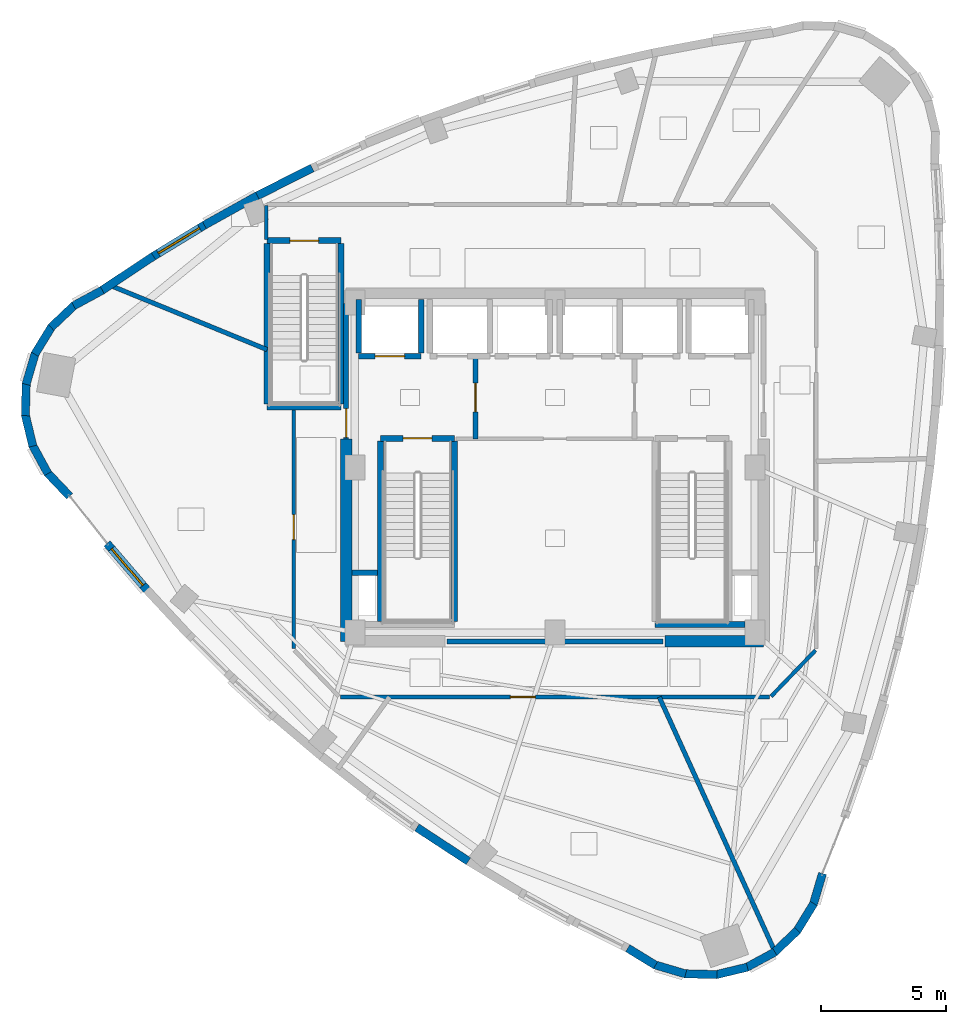
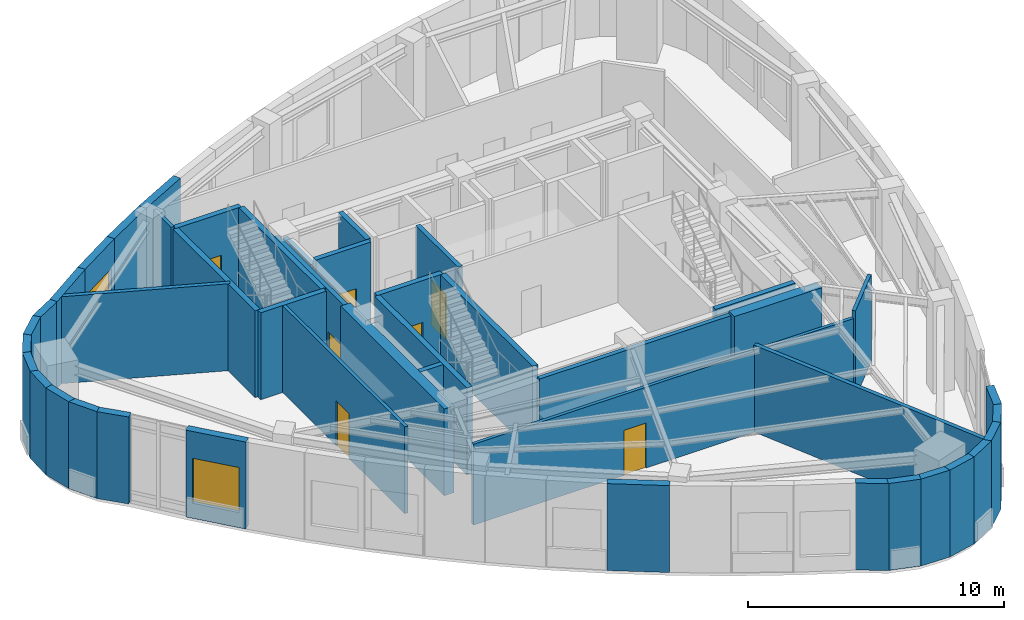
# One storey, part 8 of 13: 45 walls, 7 doors, 2 windows, 9 openings.
"""IFC4 building model written with IfcOpenShell, lengths in metres."""

from ifc_helpers import new_model, si_unit, direction, frame, frame_2d, origin, place, context, subcontext, project, spatial, rectangle, extrude, material, layer, layer_set, type_object, element, fill, save


model = new_model("IFC4")

# Units and contexts
model_context = context("Model", 3, precision=1e-05, world=origin(), true_north=direction((0.0, 1.0)))
body_context = subcontext(model_context, "Body", "Model", "MODEL_VIEW")
ifc_project = project(units=[si_unit("LENGTHUNIT", "METRE"), si_unit("AREAUNIT", "SQUARE_METRE"), si_unit("VOLUMEUNIT", "CUBIC_METRE"), si_unit("PLANEANGLEUNIT", "RADIAN"), si_unit("MASSUNIT", "GRAM", prefix="KILO")], contexts=[model_context])

# Site, building, storey
site_placement = place(None, origin())
site = spatial("IfcSite", under=ifc_project, at=site_placement, CompositionType="ELEMENT")
building_placement = place(site_placement, origin())
building = spatial("IfcBuilding", under=site, at=building_placement, Name="Ndelora Gate Hotel", CompositionType="ELEMENT")
storey_placement = place(building_placement, frame((0.0, 0.0, 272.800048828125)))
storey = spatial("IfcBuildingStorey", under=building, at=storey_placement, Name="L68", CompositionType="ELEMENT", Elevation=272.800048828125)

# Walls
ifc_material_1 = material(Name="Acoustic Double-Stud Gypsum Assembly", Category="gypsum")
ifc_layer_1 = layer(ifc_material_1, 0.179931640625)
ifc_layer_set_1 = layer_set([ifc_layer_1], Name="Acoustic Double-Stud Gypsum Assembly")
wall_type_1 = type_object("IfcWallType", Name="WL-ACOUST-180", PredefinedType="PARTITIONING", material=ifc_layer_set_1)
wall_1_placement = place(storey_placement, frame((-11.510009765625, 4.71240234375, 0.0), z_axis=(0.0, 0.0, 1.0), x_axis=(-0.925422915291, 0.378935915234, 0.0)))
element("IfcWall", 1, at=wall_1_placement, inside=storey, type_object=wall_type_1, Name="L68 Interior Wall IW-3", PredefinedType="PARTITIONING", context=body_context, shape_type="SweptSolid", body=[
    extrude(rectangle(XDim=6.80615234375, YDim=0.179931640625, at=frame_2d((3.403076171875, 0.0))), origin(), (0.0, 0.0, 1.0), 4.14990234375),
])
wall_2_placement = place(storey_placement, frame((4.1708984375, -9.179931640625, 0.0), z_axis=(0.0, 0.0, 1.0), x_axis=(0.413663216612, -0.910429977111, 0.0)))
element("IfcWall", 2, at=wall_2_placement, inside=storey, type_object=wall_type_1, Name="L68 Interior Wall IW-3", PredefinedType="PARTITIONING", context=body_context, shape_type="SweptSolid", body=[
    extrude(rectangle(XDim=11.18994140625, YDim=0.179931640625, at=frame_2d((5.594970703125, 0.0))), origin(), (0.0, 0.0, 1.0), 4.14990234375),
])
ifc_material_2 = material(Name="Clay Brick Masonry", Category="masonry")
ifc_layer_2 = layer(ifc_material_2, 0.330078125)
ifc_layer_set_2 = layer_set([ifc_layer_2], Name="Clay Brick Masonry")
wall_type_2 = type_object("IfcWallType", Name="WL-BRICK-330", PredefinedType="SOLIDWALL", material=ifc_layer_set_2)
wall_3_placement = place(storey_placement, frame((-19.25048828125, 6.469970703125, 0.0), z_axis=(0.0, 0.0, 1.0), x_axis=(0.878774855812, 0.477236579478, 0.0)))
element("IfcWall", 3, at=wall_3_placement, inside=storey, type_object=wall_type_2, Name="L68 Tower Brick Pier-and-Spandrel Wall TWR-1", PredefinedType="SOLIDWALL", context=body_context, shape_type="SweptSolid", body=[
    extrude(rectangle(XDim=1.302978515625, YDim=0.330078125, at=frame_2d((0.6513671875, 0.0))), origin(), (0.0, 0.0, 1.0), 4.14990234375),
])
wall_4_placement = place(storey_placement, frame((-20.155517578125, 5.602294921875, 0.0), z_axis=(0.0, 0.0, 1.0), x_axis=(0.725415712612, 0.688311008118, 0.0)))
element("IfcWall", 4, at=wall_4_placement, inside=storey, type_object=wall_type_2, Name="L68 Tower Brick Pier-and-Spandrel Wall TWR-2", PredefinedType="SOLIDWALL", context=body_context, shape_type="SweptSolid", body=[
    extrude(rectangle(XDim=1.302734375, YDim=0.330078125, at=frame_2d((0.6513671875, 0.0))), origin(), (0.0, 0.0, 1.0), 4.14990234375),
])
wall_5_placement = place(storey_placement, frame((-20.805419921875, 4.52978515625, 0.0), z_axis=(0.0, 0.0, 1.0), x_axis=(0.522601602676, 0.852577014047, 0.0)))
element("IfcWall", 5, at=wall_5_placement, inside=storey, type_object=wall_type_2, Name="L68 Tower Brick Pier-and-Spandrel Wall TWR-3", PredefinedType="SOLIDWALL", context=body_context, shape_type="SweptSolid", body=[
    extrude(rectangle(XDim=1.302978515625, YDim=0.330078125, at=frame_2d((0.6513671875, 0.0))), origin(), (0.0, 0.0, 1.0), 4.14990234375),
])
wall_6_placement = place(storey_placement, frame((-21.1552734375, 3.325439453125, 0.0), z_axis=(0.0, 0.0, 1.0), x_axis=(0.284011785169, 0.958820789243, 0.0)))
element("IfcWall", 6, at=wall_6_placement, inside=storey, type_object=wall_type_2, Name="L68 Tower Brick Pier-and-Spandrel Wall TWR-4", PredefinedType="SOLIDWALL", context=body_context, shape_type="SweptSolid", body=[
    extrude(rectangle(XDim=1.30322265625, YDim=0.330078125, at=frame_2d((0.651611328125, 0.0))), origin(), (0.0, 0.0, 1.0), 4.14990234375),
])
for number, where, z_axis, x_axis, name in (
    (7, (-21.181640625, 2.072021484375, 0.0), (0.0, 0.0, 1.0), (0.02623276863, 0.999655861709, 0.0), "L68 Tower Brick Pier-and-Spandrel Wall TWR-5"),
    (8, (-20.882568359375, 0.854248046875, 0.0), (0.0, 0.0, 1.0), (-0.233486347997, 0.972360080062, 0.0), "L68 Tower Brick Pier-and-Spandrel Wall TWR-6"),
    (9, (-20.278564453125, -0.24462890625, 0.0), (0.0, 0.0, 1.0), (-0.477236579478, 0.878774855812, 0.0), "L68 Tower Brick Pier-and-Spandrel Wall TWR-7"),
):
    element("IfcWall", number, at=place(storey_placement, frame(where, z_axis=z_axis, x_axis=x_axis)), inside=storey, type_object=wall_type_2, Name=name, PredefinedType="SOLIDWALL", context=body_context, shape_type="SweptSolid", body=[
        extrude(rectangle(XDim=1.302978515625, YDim=0.330078125, at=frame_2d((0.6513671875, 0.0))), origin(), (0.0, 0.0, 1.0), 4.14990234375),
    ])
wall_7_placement = place(storey_placement, frame((-19.41064453125, -1.14990234375, 0.0), z_axis=(0.0, 0.0, 1.0), x_axis=(-0.688316050819, 0.725410927809, 0.0)))
element("IfcWall", 10, at=wall_7_placement, inside=storey, type_object=wall_type_2, Name="L68 Tower Brick Pier-and-Spandrel Wall TWR-8", PredefinedType="SOLIDWALL", context=body_context, shape_type="SweptSolid", body=[
    extrude(rectangle(XDim=1.30322265625, YDim=0.330078125, at=frame_2d((0.651611328125, 0.0))), origin(), (0.0, 0.0, 1.0), 4.14990234375),
])

# Wall, opening, window
wall_8_placement = place(storey_placement, frame((-16.296630859375, -4.924072265625, 0.0), z_axis=(0.0, 0.0, 1.0), x_axis=(-0.651591190477, 0.75857031348, 0.0)))
wall_8 = element("IfcWall", 11, at=wall_8_placement, inside=storey, type_object=wall_type_2, Name="L68 Tower Brick Pier-and-Spandrel Wall TWR-10", PredefinedType="SOLIDWALL", context=body_context, shape_type="SweptSolid", body=[
    extrude(rectangle(XDim=2.487548828125, YDim=0.330078125, at=frame_2d((1.24365234375, 0.0))), origin(), (0.0, 0.0, 1.0), 4.14990234375),
])
opening_1_placement = place(wall_8_placement, frame((0.27880859375, 0.0, 0.719970703125)))
opening_1 = element("IfcOpeningElement", 12, at=opening_1_placement, cuts=wall_8, Name="Opening W05", PredefinedType="OPENING", context=body_context, shape_type="SweptSolid", body=[
    extrude(rectangle(XDim=1.929931640625, YDim=2.14990234375, at=frame_2d((0.96484375, 1.074951171875))), frame((0.0, 0.175048828125, 0.0), z_axis=(0.0, -1.0, 0.0), x_axis=(1.0, 0.0, 0.0)), (0.0, 0.0, 1.0), 0.35009765625),
])
ifc_material_3 = material(Name="Insulated Low-E Double Glazing in Bronze Aluminium Frame", Category="aluminium")
window_type = type_object("IfcWindowType", Name="WN-SKY-2000", PartitioningType="SINGLE_PANEL", PredefinedType="WINDOW", material=ifc_material_3)
window_1_placement = place(opening_1_placement, origin())
window_1 = element("IfcWindow", 13, at=window_1_placement, inside=storey, type_object=window_type, Name="L68 Deep-Set Brick-Pier Window W05", OverallHeight=2.14990234375, OverallWidth=1.929931640625, PartitioningType="SINGLE_PANEL", PredefinedType="WINDOW", context=body_context, shape_type="SweptSolid", body=[
    extrude(rectangle(XDim=1.929931640625, YDim=2.14990234375, at=frame_2d((0.96484375, 1.074951171875))), frame((0.0, 0.030029296875, 0.0), z_axis=(0.0, -1.0, 0.0), x_axis=(1.0, 0.0, 0.0)), (0.0, 0.0, 1.0), 0.06005859375),
])
fill(opening_1, window_1)

# Walls
wall_9_placement = place(storey_placement, frame((-3.462890625, -15.74560546875, 0.0), z_axis=(0.0, 0.0, 1.0), x_axis=(-0.8366477668, 0.547741284101, 0.0)))
element("IfcWall", 14, at=wall_9_placement, inside=storey, type_object=wall_type_2, Name="L68 Tower Brick Pier-and-Spandrel Wall TWR-17", PredefinedType="SOLIDWALL", context=body_context, shape_type="SweptSolid", body=[
    extrude(rectangle(XDim=2.4599609375, YDim=0.330078125, at=frame_2d((1.22998046875, 0.0))), origin(), (0.0, 0.0, 1.0), 4.14990234375),
])
for number, where, z_axis, x_axis, name in (
    (15, (4.022216796875, -19.906494140625, 0.0), (0.0, 0.0, 1.0), (-0.852628177474, 0.522518125022, 0.0), "L68 Tower Brick Pier-and-Spandrel Wall TWR-21"),
    (16, (5.226318359375, -20.25634765625, 0.0), (0.0, 0.0, 1.0), (-0.958820789243, 0.284011785169, 0.0), "L68 Tower Brick Pier-and-Spandrel Wall TWR-22"),
):
    element("IfcWall", number, at=place(storey_placement, frame(where, z_axis=z_axis, x_axis=x_axis)), inside=storey, type_object=wall_type_2, Name=name, PredefinedType="SOLIDWALL", context=body_context, shape_type="SweptSolid", body=[
        extrude(rectangle(XDim=1.30322265625, YDim=0.330078125, at=frame_2d((0.651611328125, 0.0))), origin(), (0.0, 0.0, 1.0), 4.14990234375),
    ])
for number, where, z_axis, x_axis, name in (
    (17, (6.479736328125, -20.28271484375, 0.0), (0.0, 0.0, 1.0), (-0.999655861709, 0.02623276863, 0.0), "L68 Tower Brick Pier-and-Spandrel Wall TWR-23"),
    (18, (7.697509765625, -19.983642578125, 0.0), (0.0, 0.0, 1.0), (-0.972370292931, -0.233443812137, 0.0), "L68 Tower Brick Pier-and-Spandrel Wall TWR-24"),
    (19, (8.79638671875, -19.379638671875, 0.0), (0.0, 0.0, 1.0), (-0.878774855812, -0.477236579478, 0.0), "L68 Tower Brick Pier-and-Spandrel Wall TWR-25"),
):
    element("IfcWall", number, at=place(storey_placement, frame(where, z_axis=z_axis, x_axis=x_axis)), inside=storey, type_object=wall_type_2, Name=name, PredefinedType="SOLIDWALL", context=body_context, shape_type="SweptSolid", body=[
        extrude(rectangle(XDim=1.302978515625, YDim=0.330078125, at=frame_2d((0.6513671875, 0.0))), origin(), (0.0, 0.0, 1.0), 4.14990234375),
    ])
wall_10_placement = place(storey_placement, frame((9.701416015625, -18.511962890625, 0.0), z_axis=(0.0, 0.0, 1.0), x_axis=(-0.725415712612, -0.688311008118, 0.0)))
element("IfcWall", 20, at=wall_10_placement, inside=storey, type_object=wall_type_2, Name="L68 Tower Brick Pier-and-Spandrel Wall TWR-26", PredefinedType="SOLIDWALL", context=body_context, shape_type="SweptSolid", body=[
    extrude(rectangle(XDim=1.302734375, YDim=0.330078125, at=frame_2d((0.6513671875, 0.0))), origin(), (0.0, 0.0, 1.0), 4.14990234375),
])
wall_11_placement = place(storey_placement, frame((10.351318359375, -17.439453125, 0.0), z_axis=(0.0, 0.0, 1.0), x_axis=(-0.522601602676, -0.852577014047, 0.0)))
element("IfcWall", 21, at=wall_11_placement, inside=storey, type_object=wall_type_2, Name="L68 Tower Brick Pier-and-Spandrel Wall TWR-27", PredefinedType="SOLIDWALL", context=body_context, shape_type="SweptSolid", body=[
    extrude(rectangle(XDim=1.302978515625, YDim=0.330078125, at=frame_2d((0.6513671875, 0.0))), origin(), (0.0, 0.0, 1.0), 4.14990234375),
])
wall_12_placement = place(storey_placement, frame((10.701171875, -16.235107421875, 0.0), z_axis=(0.0, 0.0, 1.0), x_axis=(-0.284011785169, -0.958820789243, 0.0)))
element("IfcWall", 22, at=wall_12_placement, inside=storey, type_object=wall_type_2, Name="L68 Tower Brick Pier-and-Spandrel Wall TWR-28", PredefinedType="SOLIDWALL", context=body_context, shape_type="SweptSolid", body=[
    extrude(rectangle(XDim=1.30322265625, YDim=0.330078125, at=frame_2d((0.651611328125, 0.0))), origin(), (0.0, 0.0, 1.0), 4.14990234375),
])
wall_13_placement = place(storey_placement, frame((-11.90478515625, 10.87158203125, 0.0), z_axis=(0.0, 0.0, 1.0), x_axis=(0.892653761516, 0.450743011096, 0.0)))
element("IfcWall", 23, at=wall_13_placement, inside=storey, type_object=wall_type_2, Name="L68 Tower Brick Pier-and-Spandrel Wall TWR-57", PredefinedType="SOLIDWALL", context=body_context, shape_type="SweptSolid", body=[
    extrude(rectangle(XDim=2.460205078125, YDim=0.330078125, at=frame_2d((1.22998046875, 0.0))), origin(), (0.0, 0.0, 1.0), 4.14990234375),
])
wall_14_placement = place(storey_placement, frame((-14.020751953125, 9.69384765625, 0.0), z_axis=(0.0, 0.0, 1.0), x_axis=(0.873970841772, 0.485978361383, 0.0)))
element("IfcWall", 24, at=wall_14_placement, inside=storey, type_object=wall_type_2, Name="L68 Tower Brick Pier-and-Spandrel Wall TWR-58", PredefinedType="SOLIDWALL", context=body_context, shape_type="SweptSolid", body=[
    extrude(rectangle(XDim=2.4716796875, YDim=0.330078125, at=frame_2d((1.23583984375, 0.0))), origin(), (0.0, 0.0, 1.0), 4.14990234375),
])

# Wall, opening, window
wall_15_placement = place(storey_placement, frame((-16.101806640625, 8.42529296875, 0.0), z_axis=(0.0, 0.0, 1.0), x_axis=(0.854079117913, 0.520143115253, 0.0)))
wall_15 = element("IfcWall", 25, at=wall_15_placement, inside=storey, type_object=wall_type_2, Name="L68 Tower Brick Pier-and-Spandrel Wall TWR-59", PredefinedType="SOLIDWALL", context=body_context, shape_type="SweptSolid", body=[
    extrude(rectangle(XDim=2.4873046875, YDim=0.330078125, at=frame_2d((1.24365234375, 0.0))), origin(), (0.0, 0.0, 1.0), 4.14990234375),
])
opening_2_placement = place(wall_15_placement, frame((0.278564453125, 0.0, 0.719970703125)))
opening_2 = element("IfcOpeningElement", 26, at=opening_2_placement, cuts=wall_15, Name="Opening W05", PredefinedType="OPENING", context=body_context, shape_type="SweptSolid", body=[
    extrude(rectangle(XDim=1.929931640625, YDim=2.14990234375, at=frame_2d((0.96484375, 1.074951171875))), frame((0.0, 0.175048828125, 0.0), z_axis=(0.0, -1.0, 0.0), x_axis=(1.0, 0.0, 0.0)), (0.0, 0.0, 1.0), 0.35009765625),
])
window_2_placement = place(opening_2_placement, origin())
window_2 = element("IfcWindow", 27, at=window_2_placement, inside=storey, type_object=window_type, Name="L68 Deep-Set Brick-Pier Window W05", OverallHeight=2.14990234375, OverallWidth=1.929931640625, PartitioningType="SINGLE_PANEL", PredefinedType="WINDOW", context=body_context, shape_type="SweptSolid", body=[
    extrude(rectangle(XDim=1.929931640625, YDim=2.14990234375, at=frame_2d((0.96484375, 1.074951171875))), frame((0.0, 0.030029296875, 0.0), z_axis=(0.0, -1.0, 0.0), x_axis=(1.0, 0.0, 0.0)), (0.0, 0.0, 1.0), 0.06005859375),
])
fill(opening_2, window_2)

# Walls
wall_16_placement = place(storey_placement, frame((-18.148193359375, 7.06591796875, 0.0), z_axis=(0.0, 0.0, 1.0), x_axis=(0.833157490591, 0.55303579981, 0.0)))
element("IfcWall", 28, at=wall_16_placement, inside=storey, type_object=wall_type_2, Name="L68 Tower Brick Pier-and-Spandrel Wall TWR-60", PredefinedType="SOLIDWALL", context=body_context, shape_type="SweptSolid", body=[
    extrude(rectangle(XDim=2.506591796875, YDim=0.330078125, at=frame_2d((1.25341796875, 0.0))), origin(), (0.0, 0.0, 1.0), 4.14990234375),
])
ifc_material_4 = material(Name="Concrete C50/60", Category="concrete")
ifc_layer_3 = layer(ifc_material_4, 0.449951171875)
ifc_layer_set_3 = layer_set([ifc_layer_3], Name="Concrete C50/60")
wall_type_3 = type_object("IfcWallType", Name="WL-CORE-450", PredefinedType="SHEAR", material=ifc_layer_set_3)
wall_17_placement = place(storey_placement, frame((4.39990234375, -6.949951171875, 0.0), z_axis=(0.0, 0.0, 1.0), x_axis=(1.0, 0.0, 0.0)))
element("IfcWall", 29, at=wall_17_placement, inside=storey, type_object=wall_type_3, Name="L68 Core Shear Wall S-E", PredefinedType="SHEAR", context=body_context, shape_type="SweptSolid", body=[
    extrude(rectangle(XDim=3.9501953125, YDim=0.449951171875, at=frame_2d((1.97509765625, 0.0))), origin(), (0.0, 0.0, 1.0), 4.14990234375),
])
wall_18_placement = place(storey_placement, frame((-8.35009765625, -6.949951171875, 0.0), z_axis=(0.0, 0.0, 1.0), x_axis=(0.0, 1.0, 0.0)))
element("IfcWall", 30, at=wall_18_placement, inside=storey, type_object=wall_type_3, Name="L68 Core Shear Wall W", PredefinedType="SHEAR", context=body_context, shape_type="SweptSolid", body=[
    extrude(rectangle(XDim=8.099853515625, YDim=0.449951171875, at=frame_2d((4.0498046875, 0.0))), origin(), (0.0, 0.0, 1.0), 4.14990234375),
])

# Wall, opening, door
ifc_material_5 = material(Name="Concrete C40/50", Category="concrete")
ifc_layer_4 = layer(ifc_material_5, 0.199951171875)
ifc_layer_set_4 = layer_set([ifc_layer_4], Name="Concrete C40/50")
wall_type_4 = type_object("IfcWallType", Name="WL-FIRE-200", PredefinedType="PARTITIONING", material=ifc_layer_set_4)
wall_19_placement = place(storey_placement, frame((-3.179931640625, 1.14990234375, 0.0), z_axis=(0.0, 0.0, 1.0), x_axis=(0.0, 1.0, 0.0)))
wall_19 = element("IfcWall", 31, at=wall_19_placement, inside=storey, type_object=wall_type_4, Name="L68 Interior Wall IW-2", PredefinedType="PARTITIONING", context=body_context, shape_type="SweptSolid", body=[
    extrude(rectangle(XDim=3.300048828125, YDim=0.199951171875, at=frame_2d((1.64990234375, 0.0))), origin(), (0.0, 0.0, 1.0), 4.14990234375),
])
opening_3_placement = place(wall_19_placement, frame((1.080078125, 0.0, 0.0)))
opening_3 = element("IfcOpeningElement", 32, at=opening_3_placement, cuts=wall_19, Name="Opening FD1", PredefinedType="OPENING", context=body_context, shape_type="SweptSolid", body=[
    extrude(rectangle(XDim=1.14990234375, YDim=2.14990234375, at=frame_2d((0.574951171875, 1.074951171875))), frame((0.0, 0.10986328125, 0.0), z_axis=(0.0, -1.0, 0.0), x_axis=(1.0, 0.0, 0.0)), (0.0, 0.0, 1.0), 0.219970703125),
])
ifc_material_6 = material(Name="Fire-Rated Timber-Veneer Steel Core", Category="steel")
door_type_1 = type_object("IfcDoorType", Name="DR-FD60", OperationType="SINGLE_SWING_LEFT", PredefinedType="DOOR", material=ifc_material_6)
door_1_placement = place(opening_3_placement, origin())
door_1 = element("IfcDoor", 33, at=door_1_placement, inside=storey, type_object=door_type_1, Name="L68 Firefighting Lobby West Door", OperationType="SINGLE_SWING_RIGHT", OverallHeight=2.14990234375, OverallWidth=1.14990234375, PredefinedType="DOOR", context=body_context, shape_type="SweptSolid", body=[
    extrude(rectangle(XDim=1.14990234375, YDim=2.14990234375, at=frame_2d((0.574951171875, 1.074951171875))), frame((0.0, 0.02490234375, 0.0), z_axis=(0.0, -1.0, 0.0), x_axis=(1.0, 0.0, 0.0)), (0.0, 0.0, 1.0), 0.050048828125),
])
fill(opening_3, door_1)

wall_20_placement = place(storey_placement, frame((-8.35009765625, 1.14990234375, 0.0), z_axis=(0.0, 0.0, 1.0), x_axis=(0.0, 1.0, 0.0)))
wall_20 = element("IfcWall", 34, at=wall_20_placement, inside=storey, type_object=wall_type_4, Name="L68 Interior Wall IW-2", PredefinedType="PARTITIONING", context=body_context, shape_type="SweptSolid", body=[
    extrude(rectangle(XDim=5.400146484375, YDim=0.199951171875, at=frame_2d((2.7001953125, 0.0))), origin(), (0.0, 0.0, 1.0), 4.14990234375),
])
opening_4_placement = place(wall_20_placement, frame((0.06005859375, 0.0, 0.0)))
opening_4 = element("IfcOpeningElement", 35, at=opening_4_placement, cuts=wall_20, Name="Opening FD1", PredefinedType="OPENING", context=body_context, shape_type="SweptSolid", body=[
    extrude(rectangle(XDim=1.14990234375, YDim=2.14990234375, at=frame_2d((0.574951171875, 1.074951171875))), frame((0.0, 0.10986328125, 0.0), z_axis=(0.0, -1.0, 0.0), x_axis=(1.0, 0.0, 0.0)), (0.0, 0.0, 1.0), 0.219970703125),
])
door_2_placement = place(opening_4_placement, origin())
door_2 = element("IfcDoor", 36, at=door_2_placement, inside=storey, type_object=door_type_1, Name="L68 Firefighting Lobby West Corridor Door", OperationType="SINGLE_SWING_LEFT", OverallHeight=2.14990234375, OverallWidth=1.14990234375, PredefinedType="DOOR", context=body_context, shape_type="SweptSolid", body=[
    extrude(rectangle(XDim=1.14990234375, YDim=2.14990234375, at=frame_2d((0.574951171875, 1.074951171875))), frame((0.0, 0.02490234375, 0.0), z_axis=(0.0, -1.0, 0.0), x_axis=(1.0, 0.0, 0.0)), (0.0, 0.0, 1.0), 0.050048828125),
])
fill(opening_4, door_2)

# Wall
wall_21_placement = place(storey_placement, frame((-4.320068359375, -6.949951171875, 0.0), z_axis=(0.0, 0.0, 1.0), x_axis=(1.0, 0.0, 0.0)))
element("IfcWall", 37, at=wall_21_placement, inside=storey, type_object=wall_type_4, Name="L68 Interior Wall IW-2", PredefinedType="PARTITIONING", context=body_context, shape_type="SweptSolid", body=[
    extrude(rectangle(XDim=8.64013671875, YDim=0.199951171875, at=frame_2d((4.320068359375, 0.0))), origin(), (0.0, 0.0, 1.0), 4.14990234375),
])

# Wall, opening, door
ifc_material_7 = material(Name="Fire-Rated Gypsum Stud Partition", Category="gypsum")
ifc_layer_5 = layer(ifc_material_7, 0.14990234375)
ifc_layer_set_5 = layer_set([ifc_layer_5], Name="Fire-Rated Gypsum Stud Partition")
wall_type_5 = type_object("IfcWallType", Name="WL-PART-150", PredefinedType="PARTITIONING", material=ifc_layer_set_5)
wall_22_placement = place(storey_placement, frame((8.580078125, -9.179931640625, 0.0), z_axis=(0.0, 0.0, 1.0), x_axis=(-1.0, 0.0, 0.0)))
wall_22 = element("IfcWall", 38, at=wall_22_placement, inside=storey, type_object=wall_type_5, Name="L68 Interior Wall IW-5", PredefinedType="PARTITIONING", context=body_context, shape_type="SweptSolid", body=[
    extrude(rectangle(XDim=17.16015625, YDim=0.14990234375, at=frame_2d((8.580078125, 0.0))), origin(), (0.0, 0.0, 1.0), 3.85986328125),
])
opening_5_placement = place(wall_22_placement, frame((9.3642578125, 0.0, 0.0)))
opening_5 = element("IfcOpeningElement", 39, at=opening_5_placement, cuts=wall_22, Name="Opening D01", PredefinedType="OPENING", context=body_context, shape_type="SweptSolid", body=[
    extrude(rectangle(XDim=1.0, YDim=2.14990234375, at=frame_2d((0.5, 1.074951171875))), frame((0.0, 0.0849609375, 0.0), z_axis=(0.0, -1.0, 0.0), x_axis=(1.0, 0.0, 0.0)), (0.0, 0.0, 1.0), 0.169921875),
])
ifc_material_8 = material(Name="Acoustic Hardwood Guest Entrance Door", Category="wood")
door_type_2 = type_object("IfcDoorType", Name="DR-COR-1000", OperationType="SINGLE_SWING_LEFT", PredefinedType="DOOR", material=ifc_material_8)
door_3_placement = place(opening_5_placement, origin())
door_3 = element("IfcDoor", 40, at=door_3_placement, inside=storey, type_object=door_type_2, Name="L68 Sommelier Wine Tasting Room Entrance Door", OperationType="SINGLE_SWING_RIGHT", OverallHeight=2.14990234375, OverallWidth=1.0, PredefinedType="DOOR", context=body_context, shape_type="SweptSolid", body=[
    extrude(rectangle(XDim=1.0, YDim=2.14990234375, at=frame_2d((0.5, 1.074951171875))), frame((0.0, 0.02490234375, 0.0), z_axis=(0.0, -1.0, 0.0), x_axis=(1.0, 0.0, 0.0)), (0.0, 0.0, 1.0), 0.050048828125),
])
fill(opening_5, door_3)

# Walls
wall_23_placement = place(storey_placement, frame((10.42236328125, -7.308837890625, 0.0), z_axis=(0.0, 0.0, 1.0), x_axis=(-0.693764562202, -0.720201869085, 0.0)))
element("IfcWall", 41, at=wall_23_placement, inside=storey, type_object=wall_type_5, Name="L68 Interior Wall IW-5", PredefinedType="PARTITIONING", context=body_context, shape_type="SweptSolid", body=[
    extrude(rectangle(XDim=2.55810546875, YDim=0.14990234375, at=frame_2d((1.279052734375, 0.0))), origin(), (0.0, 0.0, 1.0), 4.14990234375),
])
wall_24_placement = place(storey_placement, frame((-11.550048828125, 9.110107421875, 0.0), z_axis=(0.0, 0.0, 1.0), x_axis=(0.0, 1.0, 0.0)))
element("IfcWall", 42, at=wall_24_placement, inside=storey, type_object=wall_type_5, Name="L68 Interior Wall IW-5", PredefinedType="PARTITIONING", context=body_context, shape_type="SweptSolid", body=[
    extrude(rectangle(XDim=1.369873046875, YDim=0.14990234375, at=frame_2d((0.68505859375, 0.0))), origin(), (0.0, 0.0, 1.0), 4.14990234375),
])

# Wall, opening, door
wall_25_placement = place(storey_placement, frame((-10.449951171875, -7.239990234375, 0.0), z_axis=(0.0, 0.0, 1.0), x_axis=(0.0, 1.0, 0.0)))
wall_25 = element("IfcWall", 43, at=wall_25_placement, inside=storey, type_object=wall_type_5, Name="L68 Interior Wall IW-5", PredefinedType="PARTITIONING", context=body_context, shape_type="SweptSolid", body=[
    extrude(rectangle(XDim=9.6298828125, YDim=0.14990234375, at=frame_2d((4.81494140625, 0.0))), origin(), (0.0, 0.0, 1.0), 4.14990234375),
])
opening_6_placement = place(wall_25_placement, frame((4.35498046875, 0.0, 0.0)))
opening_6 = element("IfcOpeningElement", 44, at=opening_6_placement, cuts=wall_25, Name="Opening D01", PredefinedType="OPENING", context=body_context, shape_type="SweptSolid", body=[
    extrude(rectangle(XDim=1.0, YDim=2.14990234375, at=frame_2d((0.5, 1.074951171875))), frame((0.0, 0.0849609375, 0.0), z_axis=(0.0, -1.0, 0.0), x_axis=(1.0, 0.0, 0.0)), (0.0, 0.0, 1.0), 0.169921875),
])
door_4_placement = place(opening_6_placement, origin())
door_4 = element("IfcDoor", 45, at=door_4_placement, inside=storey, type_object=door_type_2, Name="L68 Altitude Culinary Production Kitchen Entrance Door", OperationType="SINGLE_SWING_LEFT", OverallHeight=2.14990234375, OverallWidth=1.0, PredefinedType="DOOR", context=body_context, shape_type="SweptSolid", body=[
    extrude(rectangle(XDim=1.0, YDim=2.14990234375, at=frame_2d((0.5, 1.074951171875))), frame((0.0, 0.02490234375, 0.0), z_axis=(0.0, -1.0, 0.0), x_axis=(1.0, 0.0, 0.0)), (0.0, 0.0, 1.0), 0.050048828125),
])
fill(opening_6, door_4)

# Wall
ifc_layer_6 = layer(ifc_material_5, 0.219970703125)
ifc_layer_set_6 = layer_set([ifc_layer_6], Name="Concrete C40/50")
wall_type_6 = type_object("IfcWallType", Name="WL-SHAFT-220", PredefinedType="PARTITIONING", material=ifc_layer_set_6)
wall_26_placement = place(storey_placement, frame((-8.125, -4.199951171875, 0.0), z_axis=(0.0, 0.0, 1.0), x_axis=(1.0, 0.0, 0.0)))
element("IfcWall", 46, at=wall_26_placement, inside=storey, type_object=wall_type_6, Name="L68 Interior Wall IW-1", PredefinedType="PARTITIONING", context=body_context, shape_type="SweptSolid", body=[
    extrude(rectangle(XDim=1.034912109375, YDim=0.219970703125, at=frame_2d((0.517578125, 0.0))), origin(), (0.0, 0.0, 1.0), 4.14990234375),
])

# Wall, opening, door
wall_27_placement = place(storey_placement, frame((-7.85009765625, 4.449951171875, 0.0), z_axis=(0.0, 0.0, 1.0), x_axis=(1.0, 0.0, 0.0)))
wall_27 = element("IfcWall", 47, at=wall_27_placement, inside=storey, type_object=wall_type_6, Name="L68 Interior Wall IW-1", PredefinedType="PARTITIONING", context=body_context, shape_type="SweptSolid", body=[
    extrude(rectangle(XDim=2.5, YDim=0.219970703125, at=frame_2d((1.25, 0.0))), origin(), (0.0, 0.0, 1.0), 4.14990234375),
])
opening_7_placement = place(wall_27_placement, frame((0.659912109375, 0.0, 0.0)))
opening_7 = element("IfcOpeningElement", 48, at=opening_7_placement, cuts=wall_27, Name="Opening LD5", PredefinedType="OPENING", context=body_context, shape_type="SweptSolid", body=[
    extrude(rectangle(XDim=1.179931640625, YDim=2.14990234375, at=frame_2d((0.58984375, 1.074951171875))), frame((0.0, 0.1201171875, 0.0), z_axis=(0.0, -1.0, 0.0), x_axis=(1.0, 0.0, 0.0)), (0.0, 0.0, 1.0), 0.239990234375),
])
ifc_material_9 = material(Name="Firefighting Lift Stainless Sliding Landing Door", Category="metal")
door_type_3 = type_object("IfcDoorType", Name="DR-LD5", OperationType="DOUBLE_DOOR_SLIDING", PredefinedType="DOOR", material=ifc_material_9)
door_5_placement = place(opening_7_placement, origin())
door_5 = element("IfcDoor", 49, at=door_5_placement, inside=storey, type_object=door_type_3, Name="L68 Lift Landing Sliding Door FFL1", OperationType="DOUBLE_DOOR_SLIDING", OverallHeight=2.14990234375, OverallWidth=1.179931640625, PredefinedType="DOOR", context=body_context, shape_type="SweptSolid", body=[
    extrude(rectangle(XDim=1.179931640625, YDim=2.14990234375, at=frame_2d((0.58984375, 1.074951171875))), frame((0.0, 0.02490234375, 0.0), z_axis=(0.0, -1.0, 0.0), x_axis=(1.0, 0.0, 0.0)), (0.0, 0.0, 1.0), 0.050048828125),
])
fill(opening_7, door_5)

# Walls
wall_28_placement = place(storey_placement, frame((-7.85009765625, 4.570068359375, 0.0), z_axis=(0.0, 0.0, 1.0), x_axis=(0.0, 1.0, 0.0)))
element("IfcWall", 50, at=wall_28_placement, inside=storey, type_object=wall_type_6, Name="L68 Interior Wall IW-1", PredefinedType="PARTITIONING", context=body_context, shape_type="SweptSolid", body=[
    extrude(rectangle(XDim=2.155029296875, YDim=0.219970703125, at=frame_2d((1.07763671875, 0.0))), origin(), (0.0, 0.0, 1.0), 3.829833984375),
])
wall_29_placement = place(storey_placement, frame((-5.35009765625, 4.570068359375, 0.0), z_axis=(0.0, 0.0, 1.0), x_axis=(0.0, 1.0, 0.0)))
element("IfcWall", 51, at=wall_29_placement, inside=storey, type_object=wall_type_6, Name="L68 Interior Wall IW-1", PredefinedType="PARTITIONING", context=body_context, shape_type="SweptSolid", body=[
    extrude(rectangle(XDim=2.155029296875, YDim=0.219970703125, at=frame_2d((1.07763671875, 0.0))), origin(), (0.0, 0.0, 1.0), 4.14990234375),
])
ifc_layer_7 = layer(ifc_material_4, 0.239990234375)
ifc_layer_set_7 = layer_set([ifc_layer_7], Name="Concrete C50/60")
wall_type_7 = type_object("IfcWallType", Name="WL-STAIR-240", PredefinedType="SHEAR", material=ifc_layer_set_7)
for number, where, z_axis, x_axis, name in (
    (52, (-6.969970703125, -6.159912109375, 0.0), (0.0, 0.0, 1.0), (0.0, 1.0, 0.0), "L68 Stair Core Shear Wall SW-ST"),
    (53, (-4.010009765625, -6.159912109375, 0.0), (0.0, 0.0, 1.0), (0.0, 1.0, 0.0), "L68 Stair Core Shear Wall SW-ST"),
):
    element("IfcWall", number, at=place(storey_placement, frame(where, z_axis=z_axis, x_axis=x_axis)), inside=storey, type_object=wall_type_7, Name=name, PredefinedType="SHEAR", context=body_context, shape_type="SweptSolid", body=[
        extrude(rectangle(XDim=7.219970703125, YDim=0.239990234375, at=frame_2d((3.60986328125, 0.0))), origin(), (0.0, 0.0, 1.0), 4.14990234375),
    ])

# Wall, opening, door
wall_30_placement = place(storey_placement, frame((-6.969970703125, 1.169921875, 0.0), z_axis=(0.0, 0.0, 1.0), x_axis=(1.0, 0.0, 0.0)))
wall_30 = element("IfcWall", 54, at=wall_30_placement, inside=storey, type_object=wall_type_7, Name="L68 Stair Core Shear Wall SW-ST", PredefinedType="SHEAR", context=body_context, shape_type="SweptSolid", body=[
    extrude(rectangle(XDim=2.9599609375, YDim=0.239990234375, at=frame_2d((1.47998046875, 0.0))), origin(), (0.0, 0.0, 1.0), 4.14990234375),
])
opening_8_placement = place(wall_30_placement, frame((0.89990234375, 0.0, 0.0)))
opening_8 = element("IfcOpeningElement", 55, at=opening_8_placement, cuts=wall_30, Name="Opening FD1", PredefinedType="OPENING", context=body_context, shape_type="SweptSolid", body=[
    extrude(rectangle(XDim=1.14990234375, YDim=2.14990234375, at=frame_2d((0.574951171875, 1.074951171875))), frame((0.0, 0.1298828125, 0.0), z_axis=(0.0, -1.0, 0.0), x_axis=(1.0, 0.0, 0.0)), (0.0, 0.0, 1.0), 0.260009765625),
])
door_6_placement = place(opening_8_placement, origin())
door_6 = element("IfcDoor", 56, at=door_6_placement, inside=storey, type_object=door_type_1, Name="L68 Exit Stair ST4 Door", OperationType="SINGLE_SWING_LEFT", OverallHeight=2.14990234375, OverallWidth=1.14990234375, PredefinedType="DOOR", context=body_context, shape_type="SweptSolid", body=[
    extrude(rectangle(XDim=1.14990234375, YDim=2.14990234375, at=frame_2d((0.574951171875, 1.074951171875))), frame((0.0, 0.02490234375, 0.0), z_axis=(0.0, -1.0, 0.0), x_axis=(1.0, 0.0, 0.0)), (0.0, 0.0, 1.0), 0.050048828125),
])
fill(opening_8, door_6)

# Walls
wall_31_placement = place(storey_placement, frame((4.010009765625, -6.27001953125, 0.0), z_axis=(0.0, 0.0, 1.0), x_axis=(1.0, 0.0, 0.0)))
element("IfcWall", 57, at=wall_31_placement, inside=storey, type_object=wall_type_7, Name="L68 Stair Core Shear Wall SW-ST", PredefinedType="SHEAR", context=body_context, shape_type="SweptSolid", body=[
    extrude(rectangle(XDim=3.590087890625, YDim=0.239990234375, at=frame_2d((1.794921875, 0.0))), origin(), (0.0, 0.0, 1.0), 4.14990234375),
])
wall_32_placement = place(storey_placement, frame((-11.510009765625, 2.5400390625, 0.0), z_axis=(0.0, 0.0, 1.0), x_axis=(0.0, 1.0, 0.0)))
element("IfcWall", 58, at=wall_32_placement, inside=storey, type_object=wall_type_7, Name="L68 Stair Core Shear Wall SW-ST", PredefinedType="SHEAR", context=body_context, shape_type="SweptSolid", body=[
    extrude(rectangle(XDim=6.419921875, YDim=0.239990234375, at=frame_2d((3.2099609375, 0.0))), origin(), (0.0, 0.0, 1.0), 4.14990234375),
])
wall_33_placement = place(storey_placement, frame((-11.510009765625, 2.429931640625, 0.0), z_axis=(0.0, 0.0, 1.0), x_axis=(1.0, 0.0, 0.0)))
element("IfcWall", 59, at=wall_33_placement, inside=storey, type_object=wall_type_7, Name="L68 Stair Core Shear Wall SW-ST", PredefinedType="SHEAR", context=body_context, shape_type="SweptSolid", body=[
    extrude(rectangle(XDim=2.9599609375, YDim=0.239990234375, at=frame_2d((1.47998046875, 0.0))), origin(), (0.0, 0.0, 1.0), 4.14990234375),
])
wall_34_placement = place(storey_placement, frame((-8.550048828125, 2.5400390625, 0.0), z_axis=(0.0, 0.0, 1.0), x_axis=(0.0, 1.0, 0.0)))
element("IfcWall", 60, at=wall_34_placement, inside=storey, type_object=wall_type_7, Name="L68 Stair Core Shear Wall SW-ST", PredefinedType="SHEAR", context=body_context, shape_type="SweptSolid", body=[
    extrude(rectangle(XDim=6.419921875, YDim=0.239990234375, at=frame_2d((3.2099609375, 0.0))), origin(), (0.0, 0.0, 1.0), 4.14990234375),
])

# Wall, opening, door
wall_35_placement = place(storey_placement, frame((-8.550048828125, 9.070068359375, 0.0), z_axis=(0.0, 0.0, 1.0), x_axis=(-1.0, 0.0, 0.0)))
wall_35 = element("IfcWall", 61, at=wall_35_placement, inside=storey, type_object=wall_type_7, Name="L68 Stair Core Shear Wall SW-ST", PredefinedType="SHEAR", context=body_context, shape_type="SweptSolid", body=[
    extrude(rectangle(XDim=2.9599609375, YDim=0.239990234375, at=frame_2d((1.47998046875, 0.0))), origin(), (0.0, 0.0, 1.0), 4.14990234375),
])
opening_9_placement = place(wall_35_placement, frame((0.89990234375, 0.0, 0.0)))
opening_9 = element("IfcOpeningElement", 62, at=opening_9_placement, cuts=wall_35, Name="Opening FD1", PredefinedType="OPENING", context=body_context, shape_type="SweptSolid", body=[
    extrude(rectangle(XDim=1.14990234375, YDim=2.14990234375, at=frame_2d((0.574951171875, 1.074951171875))), frame((0.0, 0.1298828125, 0.0), z_axis=(0.0, -1.0, 0.0), x_axis=(1.0, 0.0, 0.0)), (0.0, 0.0, 1.0), 0.260009765625),
])
door_7_placement = place(opening_9_placement, origin())
door_7 = element("IfcDoor", 63, at=door_7_placement, inside=storey, type_object=door_type_1, Name="L68 Stair ST6 Door", OperationType="SINGLE_SWING_LEFT", OverallHeight=2.14990234375, OverallWidth=1.14990234375, PredefinedType="DOOR", context=body_context, shape_type="SweptSolid", body=[
    extrude(rectangle(XDim=1.14990234375, YDim=2.14990234375, at=frame_2d((0.574951171875, 1.074951171875))), frame((0.0, 0.02490234375, 0.0), z_axis=(0.0, -1.0, 0.0), x_axis=(1.0, 0.0, 0.0)), (0.0, 0.0, 1.0), 0.050048828125),
])
fill(opening_9, door_7)

save(model, "model.ifc")
